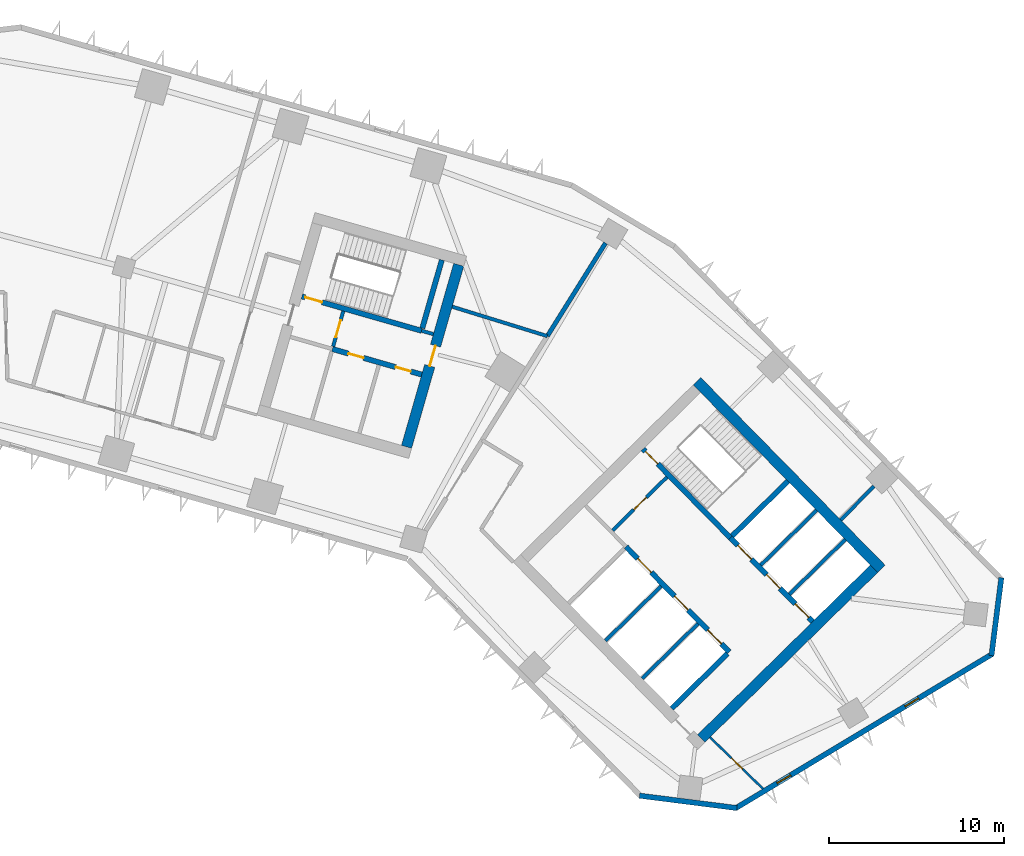
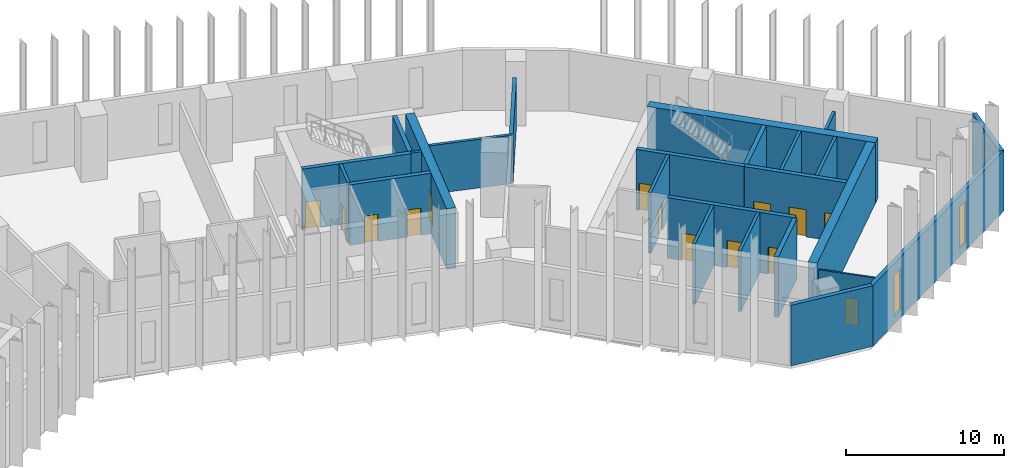
# One storey, part 6 of 11: 25 walls, 14 doors, 2 windows, 16 openings.
"""IFC4 building model written with IfcOpenShell, lengths in metres."""

import ifcopenshell
import ifcopenshell.guid

model = None  # the IFC model being written
_history = None  # IfcOwnerHistory: only IFC2X3 demands one
_inside = {}  # id of a spatial element -> (the spatial element, [elements in it])
_under = {}  # id of a project, library or spatial element -> (it, [spatial elements below it])
_declared = {}  # id of a project -> (the project, [libraries it declares])
_typed = {}  # id of a type object -> (the type object, [elements of that type])
_made_of = {}  # id of a material, layer set ... -> (it, [elements and type objects made of it])


def new_model(schema):
    """Start an empty IFC model of exactly this schema.

    Asked for "IFC4X3", IfcOpenShell would pick the latest addendum, in which some entities
    have other attributes; the version numbers below select the first issue.
    IFC2X3 requires an IfcOwnerHistory on every rooted entity: one is made here for all.
    """
    global model, _history
    if schema == "IFC4X3":
        model = ifcopenshell.file(schema_version=(4, 3, 0, 0))
    else:
        model = ifcopenshell.file(schema=schema)
    _inside.clear()
    _under.clear()
    _declared.clear()
    _typed.clear()
    _made_of.clear()
    _history = None
    if model.schema == "IFC2X3":
        org = make("IfcOrganization", Name="unknown")
        user = make(
            "IfcPersonAndOrganization",
            ThePerson=make("IfcPerson", FamilyName="unknown"),
            TheOrganization=org,
        )
        app = make(
            "IfcApplication",
            ApplicationDeveloper=org,
            Version="unknown",
            ApplicationFullName="unknown",
            ApplicationIdentifier="unknown",
        )
        _history = make(
            "IfcOwnerHistory",
            OwningUser=user,
            OwningApplication=app,
            ChangeAction="ADDED",
            CreationDate=0,
        )
    return model


def make(cls, **values):
    """One entity of the class cls with the attributes given. An attribute that is None is left unset."""
    return model.create_entity(
        cls, **{name: value for name, value in values.items() if value is not None}
    )


def rooted(cls, **values):
    """An entity with a GlobalId (a new one), such as an element, a storey or a relation."""
    return make(cls, GlobalId=ifcopenshell.guid.new(), OwnerHistory=_history, **values)


def si_unit(unit_type, name, prefix=None):
    """IfcSIUnit, for example si_unit("LENGTHUNIT", "METRE", prefix="MILLI")."""
    return make("IfcSIUnit", UnitType=unit_type, Prefix=prefix, Name=name)


def assignment(units):
    """IfcUnitAssignment: the units of a project."""
    return None if units is None else make("IfcUnitAssignment", Units=units)


def point(xyz):
    """IfcCartesianPoint."""
    return None if xyz is None else make("IfcCartesianPoint", Coordinates=xyz)


def direction(xyz):
    """IfcDirection."""
    return None if xyz is None else make("IfcDirection", DirectionRatios=xyz)


def frame(location, z_axis=None, x_axis=None):
    """IfcAxis2Placement3D, a coordinate frame: its origin and axes. An axis left out is left unset."""
    return make(
        "IfcAxis2Placement3D",
        Location=point(location),
        Axis=direction(z_axis),
        RefDirection=direction(x_axis),
    )


def frame_2d(location, x_axis=None):
    """IfcAxis2Placement2D, a coordinate frame in the plane: its origin and x axis."""
    return make(
        "IfcAxis2Placement2D", Location=point(location), RefDirection=direction(x_axis)
    )


def origin():
    """The frame at (0, 0, 0) with its axes left unset."""
    return frame((0.0, 0.0, 0.0))


def place(relative_to, where):
    """IfcLocalPlacement: puts the frame where relative to a parent placement (None: the world)."""
    return make(
        "IfcLocalPlacement", PlacementRelTo=relative_to, RelativePlacement=where
    )


def context(
    kind, dimensions, precision=None, world=None, true_north=None, identifier=None
):
    """IfcGeometricRepresentationContext, for example the 3D "Model" context."""
    return make(
        "IfcGeometricRepresentationContext",
        ContextIdentifier=identifier,
        ContextType=kind,
        CoordinateSpaceDimension=dimensions,
        Precision=precision,
        WorldCoordinateSystem=world,
        TrueNorth=true_north,
    )


def subcontext(parent, identifier, kind, view, scale=None):
    """IfcGeometricRepresentationSubContext, for example "Body" below "Model"."""
    return make(
        "IfcGeometricRepresentationSubContext",
        ContextIdentifier=identifier,
        ContextType=kind,
        ParentContext=parent,
        TargetScale=scale,
        TargetView=view,
    )


def project(units=None, contexts=None):
    """IfcProject with its units and contexts."""
    return rooted(
        "IfcProject",
        Name="project",
        RepresentationContexts=contexts,
        UnitsInContext=assignment(units),
    )


def spatial(cls, under=None, at=None, **own):
    """A site, building, storey or space (cls), placed at a placement, below another one or the project."""
    s = rooted(cls, ObjectPlacement=at, **own)
    if under is not None:
        _under.setdefault(under.id(), (under, []))[1].append(s)
    return s


def profile(cls, at=None, kind="AREA", **sizes):
    """A parametric profile (cls). Its sizes go by their IFC names, for example OverallWidth=200.0."""
    return make(cls, ProfileType=kind, Position=at, **sizes)


def rectangle(**sizes):
    """IfcRectangleProfileDef."""
    return profile("IfcRectangleProfileDef", **sizes)


def extrude(swept, where, along, depth):
    """IfcExtrudedAreaSolid: the profile swept, set in the frame where, extruded along a direction by depth."""
    return make(
        "IfcExtrudedAreaSolid",
        SweptArea=swept,
        Position=where,
        ExtrudedDirection=direction(along),
        Depth=depth,
    )


def shape(context_of_items, identifier, shape_type, items):
    """IfcShapeRepresentation: the items that make up one representation, for example the "Body"."""
    return make(
        "IfcShapeRepresentation",
        ContextOfItems=context_of_items,
        RepresentationIdentifier=identifier,
        RepresentationType=shape_type,
        Items=items,
    )


def material(Name=None, Category=None):
    """IfcMaterial."""
    return make("IfcMaterial", Name=Name, Category=Category)


def layer(
    of_material, thickness, ventilated=None, Name=None, Category=None, Priority=None
):
    """IfcMaterialLayer: one layer of a wall or slab, of a material (None: an air gap)."""
    return make(
        "IfcMaterialLayer",
        Material=of_material,
        LayerThickness=thickness,
        IsVentilated=ventilated,
        Name=Name,
        Category=Category,
        Priority=Priority,
    )


def layer_set(layers, Name=None):
    """IfcMaterialLayerSet."""
    return make("IfcMaterialLayerSet", MaterialLayers=layers, LayerSetName=Name)


def made_of(thing, what):
    """Note that an element or type object is made of a material, layer set ...; save() writes the relation."""
    if what is not None:
        _made_of.setdefault(what.id(), (what, []))[1].append(thing)
    return thing


def type_object(cls, material=None, **own):
    """A type object (cls), such as IfcWallType, which elements share."""
    return made_of(rooted(cls, **own), material)


def element(
    cls,
    number,
    at=None,
    inside=None,
    cuts=None,
    type_object=None,
    material=None,
    context=None,
    identifier="Body",
    shape_type=None,
    held_by="IfcProductDefinitionShape",
    body=None,
    shapes=None,
    **own,
):
    """One element of the class cls, such as IfcWall. Its Tag is "e" and its number.

    at: its placement. inside: the storey or other place that contains it. cuts: it is an
    opening in that element (IfcRelVoidsElement). A single representation is given by context,
    identifier, shape_type and body (its items); several are given by shapes. held_by: the class
    of the entity that holds the representations. save() writes the other relations.
    """
    e = rooted(cls, Tag="e%d" % number, ObjectPlacement=at, **own)
    if body is not None:
        shapes = [shape(context, identifier, shape_type, body)]
    if shapes is not None:
        e.Representation = make(held_by, Representations=shapes)
    if inside is not None:
        _inside.setdefault(inside.id(), (inside, []))[1].append(e)
    if cuts is not None:
        rooted(
            "IfcRelVoidsElement", RelatingBuildingElement=cuts, RelatedOpeningElement=e
        )
    if type_object is not None:
        _typed.setdefault(type_object.id(), (type_object, []))[1].append(e)
    return made_of(e, material)


def fill(opening, filler):
    """IfcRelFillsElement: the door or window that sits in an opening."""
    return rooted(
        "IfcRelFillsElement",
        RelatingOpeningElement=opening,
        RelatedBuildingElement=filler,
    )


def aggregate(whole, parts):
    """IfcRelAggregates: a whole, such as a stair, and the parts it consists of."""
    return rooted("IfcRelAggregates", RelatingObject=whole, RelatedObjects=parts)


def save(model, path):
    """Write the relations noted so far, then the file.

    IfcRelAggregates (storeys below a building ...), IfcRelContainedInSpatialStructure (elements
    in a storey), IfcRelDefinesByType, IfcRelAssociatesMaterial and IfcRelDeclares: one each for
    every whole, place, type object, material and project.
    """
    for whole, parts in _under.values():
        aggregate(whole, parts)
    for where, things in _inside.values():
        rooted(
            "IfcRelContainedInSpatialStructure",
            RelatedElements=things,
            RelatingStructure=where,
        )
    for kind, things in _typed.values():
        rooted("IfcRelDefinesByType", RelatedObjects=things, RelatingType=kind)
    for what, things in _made_of.values():
        rooted("IfcRelAssociatesMaterial", RelatedObjects=things, RelatingMaterial=what)
    for by, libraries in _declared.values():
        rooted("IfcRelDeclares", RelatingContext=by, RelatedDefinitions=libraries)
    model.write(path)


model = new_model("IFC4")

# Units and contexts
model_context = context("Model", 3, precision=1e-05, world=origin(), true_north=direction((0.0, 1.0)))
body_context = subcontext(model_context, "Body", "Model", "MODEL_VIEW")
ifc_project = project(units=[si_unit("LENGTHUNIT", "METRE"), si_unit("AREAUNIT", "SQUARE_METRE"), si_unit("VOLUMEUNIT", "CUBIC_METRE"), si_unit("PLANEANGLEUNIT", "RADIAN"), si_unit("MASSUNIT", "GRAM", prefix="KILO")], contexts=[model_context])

# Site, building, storey
site_placement = place(None, origin())
site = spatial("IfcSite", under=ifc_project, at=site_placement, CompositionType="ELEMENT")
building_placement = place(site_placement, origin())
building = spatial("IfcBuilding", under=site, at=building_placement, Name="Binnacle Exchange Tower", CompositionType="ELEMENT")
storey_placement = place(building_placement, frame((0.0, 0.0, 36.5)))
storey = spatial("IfcBuildingStorey", under=building, at=storey_placement, Name="L07", CompositionType="ELEMENT", Elevation=36.5)

# Wall, openings, doors
ifc_material_1 = material(Name="Concrete C70/85", Category="concrete")
ifc_layer_1 = layer(ifc_material_1, 0.300048828125)
ifc_layer_set_1 = layer_set([ifc_layer_1], Name="Core wall - front 300")
wall_type_1 = type_object("IfcWallType", Name="Core wall - front 300", PredefinedType="SOLIDWALL", material=ifc_layer_set_1)
wall_1_placement = place(storey_placement, frame((37.8740234375, 41.41552734375, 0.0), z_axis=(0.0, 0.0, 1.0), x_axis=(0.700918271237, -0.71324159795, 0.0)))
wall_1 = element("IfcWall", 1, at=wall_1_placement, inside=storey, type_object=wall_type_1, Name="Core wall CRWB3", PredefinedType="SOLIDWALL", context=body_context, shape_type="SweptSolid", body=[
    extrude(rectangle(XDim=8.39990234375, YDim=0.300048828125, at=frame_2d((4.199951171875, 0.0))), origin(), (0.0, 0.0, 1.0), 4.679931640625),
])
opening_1_placement = place(wall_1_placement, frame((0.949951171875, 0.0, 0.0)))
opening_1 = element("IfcOpeningElement", 2, at=opening_1_placement, cuts=wall_1, Name="Opening LD15", PredefinedType="OPENING", context=body_context, shape_type="SweptSolid", body=[
    extrude(rectangle(XDim=1.10009765625, YDim=2.10009765625, at=frame_2d((0.550048828125, 1.050048828125))), frame((0.0, 0.159912109375, 0.0), z_axis=(0.0, -1.0, 0.0), x_axis=(1.0, 0.0, 0.0)), (0.0, 0.0, 1.0), 0.320068359375),
])
opening_2_placement = place(wall_1_placement, frame((3.949951171875, 0.0, 0.0)))
opening_2 = element("IfcOpeningElement", 3, at=opening_2_placement, cuts=wall_1, Name="Opening LD16", PredefinedType="OPENING", context=body_context, shape_type="SweptSolid", body=[
    extrude(rectangle(XDim=1.10009765625, YDim=2.10009765625, at=frame_2d((0.550048828125, 1.050048828125))), frame((0.0, 0.159912109375, 0.0), z_axis=(0.0, -1.0, 0.0), x_axis=(1.0, 0.0, 0.0)), (0.0, 0.0, 1.0), 0.320068359375),
])
opening_3_placement = place(wall_1_placement, frame((6.64990234375, 0.0, 0.0)))
opening_3 = element("IfcOpeningElement", 4, at=opening_3_placement, cuts=wall_1, Name="Opening LD4", PredefinedType="OPENING", context=body_context, shape_type="SweptSolid", body=[
    extrude(rectangle(XDim=1.10009765625, YDim=2.10009765625, at=frame_2d((0.550048828125, 1.050048828125))), frame((0.0, 0.159912109375, 0.0), z_axis=(0.0, -1.0, 0.0), x_axis=(1.0, 0.0, 0.0)), (0.0, 0.0, 1.0), 0.320068359375),
])
ifc_material_2 = material(Name="Steel door leaf", Category="steel")
door_type_1 = type_object("IfcDoorType", Name="Fire door - lift landing 1100", OperationType="NOTDEFINED", PredefinedType="DOOR", material=ifc_material_2)
door_1_placement = place(opening_1_placement, origin())
door_1 = element("IfcDoor", 5, at=door_1_placement, inside=storey, type_object=door_type_1, Name="Landing door LD15 L07", OperationType="DOUBLE_DOOR_SLIDING", OverallHeight=2.10009765625, OverallWidth=1.10009765625, PredefinedType="DOOR", context=body_context, shape_type="SweptSolid", body=[
    extrude(rectangle(XDim=1.10009765625, YDim=2.10009765625, at=frame_2d((0.550048828125, 1.050048828125))), frame((0.0, 0.02490234375, 0.0), z_axis=(0.0, -1.0, 0.0), x_axis=(1.0, 0.0, 0.0)), (0.0, 0.0, 1.0), 0.050048828125),
])
fill(opening_1, door_1)
door_2_placement = place(opening_2_placement, origin())
door_2 = element("IfcDoor", 6, at=door_2_placement, inside=storey, type_object=door_type_1, Name="Landing door LD16 L07", OperationType="DOUBLE_DOOR_SLIDING", OverallHeight=2.10009765625, OverallWidth=1.10009765625, PredefinedType="DOOR", context=body_context, shape_type="SweptSolid", body=[
    extrude(rectangle(XDim=1.10009765625, YDim=2.10009765625, at=frame_2d((0.550048828125, 1.050048828125))), frame((0.0, 0.02490234375, 0.0), z_axis=(0.0, -1.0, 0.0), x_axis=(1.0, 0.0, 0.0)), (0.0, 0.0, 1.0), 0.050048828125),
])
fill(opening_2, door_2)
door_3_placement = place(opening_3_placement, origin())
door_3 = element("IfcDoor", 7, at=door_3_placement, inside=storey, type_object=door_type_1, Name="Landing door LD4 L07", OperationType="DOUBLE_DOOR_SLIDING", OverallHeight=2.10009765625, OverallWidth=1.10009765625, PredefinedType="DOOR", context=body_context, shape_type="SweptSolid", body=[
    extrude(rectangle(XDim=1.10009765625, YDim=2.10009765625, at=frame_2d((0.550048828125, 1.050048828125))), frame((0.0, 0.02490234375, 0.0), z_axis=(0.0, -1.0, 0.0), x_axis=(1.0, 0.0, 0.0)), (0.0, 0.0, 1.0), 0.050048828125),
])
fill(opening_3, door_3)

wall_2_placement = place(storey_placement, frame((43.818603515625, 41.92919921875, 0.0), z_axis=(0.0, 0.0, 1.0), x_axis=(0.700921619155, -0.713238307862, 0.0)))
wall_2 = element("IfcWall", 8, at=wall_2_placement, inside=storey, type_object=wall_type_1, Name="Core wall CRWB5", PredefinedType="SOLIDWALL", context=body_context, shape_type="SweptSolid", body=[
    extrude(rectangle(XDim=6.69970703125, YDim=0.300048828125, at=frame_2d((3.349853515625, 0.0))), origin(), (0.0, 0.0, 1.0), 4.679931640625),
])
opening_4_placement = place(wall_2_placement, frame((0.614990234375, 0.0, 0.0)))
opening_4 = element("IfcOpeningElement", 9, at=opening_4_placement, cuts=wall_2, Name="Opening LD1", PredefinedType="OPENING", context=body_context, shape_type="SweptSolid", body=[
    extrude(rectangle(XDim=1.10009765625, YDim=2.10009765625, at=frame_2d((0.550048828125, 1.050048828125))), frame((0.0, 0.159912109375, 0.0), z_axis=(0.0, -1.0, 0.0), x_axis=(1.0, 0.0, 0.0)), (0.0, 0.0, 1.0), 0.320068359375),
])
opening_5_placement = place(wall_2_placement, frame((2.945068359375, 0.0, 0.0)))
opening_5 = element("IfcOpeningElement", 10, at=opening_5_placement, cuts=wall_2, Name="Opening LD2", PredefinedType="OPENING", context=body_context, shape_type="SweptSolid", body=[
    extrude(rectangle(XDim=1.10009765625, YDim=2.10009765625, at=frame_2d((0.550048828125, 1.050048828125))), frame((0.0, 0.159912109375, 0.0), z_axis=(0.0, -1.0, 0.0), x_axis=(1.0, 0.0, 0.0)), (0.0, 0.0, 1.0), 0.320068359375),
])
opening_6_placement = place(wall_2_placement, frame((5.280029296875, 0.0, 0.0)))
opening_6 = element("IfcOpeningElement", 11, at=opening_6_placement, cuts=wall_2, Name="Opening LD3", PredefinedType="OPENING", context=body_context, shape_type="SweptSolid", body=[
    extrude(rectangle(XDim=1.10009765625, YDim=2.10009765625, at=frame_2d((0.550048828125, 1.050048828125))), frame((0.0, 0.159912109375, 0.0), z_axis=(0.0, -1.0, 0.0), x_axis=(1.0, 0.0, 0.0)), (0.0, 0.0, 1.0), 0.320068359375),
])
door_4_placement = place(opening_4_placement, origin())
door_4 = element("IfcDoor", 12, at=door_4_placement, inside=storey, type_object=door_type_1, Name="Landing door LD1 L07", OperationType="DOUBLE_DOOR_SLIDING", OverallHeight=2.10009765625, OverallWidth=1.10009765625, PredefinedType="DOOR", context=body_context, shape_type="SweptSolid", body=[
    extrude(rectangle(XDim=1.10009765625, YDim=2.10009765625, at=frame_2d((0.550048828125, 1.050048828125))), frame((0.0, 0.02490234375, 0.0), z_axis=(0.0, -1.0, 0.0), x_axis=(1.0, 0.0, 0.0)), (0.0, 0.0, 1.0), 0.050048828125),
])
fill(opening_4, door_4)
door_5_placement = place(opening_5_placement, origin())
door_5 = element("IfcDoor", 13, at=door_5_placement, inside=storey, type_object=door_type_1, Name="Landing door LD2 L07", OperationType="DOUBLE_DOOR_SLIDING", OverallHeight=2.10009765625, OverallWidth=1.10009765625, PredefinedType="DOOR", context=body_context, shape_type="SweptSolid", body=[
    extrude(rectangle(XDim=1.10009765625, YDim=2.10009765625, at=frame_2d((0.550048828125, 1.050048828125))), frame((0.0, 0.02490234375, 0.0), z_axis=(0.0, -1.0, 0.0), x_axis=(1.0, 0.0, 0.0)), (0.0, 0.0, 1.0), 0.050048828125),
])
fill(opening_5, door_5)
door_6_placement = place(opening_6_placement, origin())
door_6 = element("IfcDoor", 14, at=door_6_placement, inside=storey, type_object=door_type_1, Name="Landing door LD3 L07", OperationType="DOUBLE_DOOR_SLIDING", OverallHeight=2.10009765625, OverallWidth=1.10009765625, PredefinedType="DOOR", context=body_context, shape_type="SweptSolid", body=[
    extrude(rectangle(XDim=1.10009765625, YDim=2.10009765625, at=frame_2d((0.550048828125, 1.050048828125))), frame((0.0, 0.02490234375, 0.0), z_axis=(0.0, -1.0, 0.0), x_axis=(1.0, 0.0, 0.0)), (0.0, 0.0, 1.0), 0.050048828125),
])
fill(opening_6, door_6)

# Wall
wall_3_placement = place(storey_placement, frame((40.480712890625, 32.199951171875, 0.0), z_axis=(0.0, 0.0, 1.0), x_axis=(0.713251741427, 0.700907949271, 0.0)))
element("IfcWall", 15, at=wall_3_placement, inside=storey, type_object=wall_type_1, Name="Core wall CRWB14", PredefinedType="SOLIDWALL", context=body_context, shape_type="SweptSolid", body=[
    extrude(rectangle(XDim=4.4501953125, YDim=0.300048828125, at=frame_2d((2.22509765625, 0.0))), origin(), (0.0, 0.0, 1.0), 4.679931640625),
])

# Wall, openings, doors
wall_4_placement = place(storey_placement, frame((21.130859375, 52.6923828125, 0.0), z_axis=(0.0, 0.0, 1.0), x_axis=(0.961271492568, -0.275603188616, 0.0)))
wall_4 = element("IfcWall", 16, at=wall_4_placement, inside=storey, type_object=wall_type_1, Name="Core wall CRWD3", PredefinedType="SOLIDWALL", context=body_context, shape_type="SweptSolid", body=[
    extrude(rectangle(XDim=5.300048828125, YDim=0.300048828125, at=frame_2d((2.64990234375, 0.0))), origin(), (0.0, 0.0, 1.0), 4.679931640625),
])
opening_7_placement = place(wall_4_placement, frame((0.949951171875, 0.0, 0.0)))
opening_7 = element("IfcOpeningElement", 17, at=opening_7_placement, cuts=wall_4, Name="Opening DD10", PredefinedType="OPENING", context=body_context, shape_type="SweptSolid", body=[
    extrude(rectangle(XDim=0.89990234375, YDim=2.10009765625, at=frame_2d((0.449951171875, 1.050048828125))), frame((0.0, 0.159912109375, 0.0), z_axis=(0.0, -1.0, 0.0), x_axis=(1.0, 0.0, 0.0)), (0.0, 0.0, 1.0), 0.320068359375),
])
opening_8_placement = place(wall_4_placement, frame((3.75, 0.0, 0.0)))
opening_8 = element("IfcOpeningElement", 18, at=opening_8_placement, cuts=wall_4, Name="Opening DD11", PredefinedType="OPENING", context=body_context, shape_type="SweptSolid", body=[
    extrude(rectangle(XDim=0.89990234375, YDim=2.10009765625, at=frame_2d((0.449951171875, 1.050048828125))), frame((0.0, 0.159912109375, 0.0), z_axis=(0.0, -1.0, 0.0), x_axis=(1.0, 0.0, 0.0)), (0.0, 0.0, 1.0), 0.320068359375),
])
door_type_2 = type_object("IfcDoorType", Name="Fire door 900", OperationType="NOTDEFINED", PredefinedType="DOOR", material=ifc_material_2)
door_7_placement = place(opening_7_placement, frame((0.89990234375, 0.0, 0.0), z_axis=(0.0, 0.0, 1.0), x_axis=(-1.0, 0.0, 0.0)))
door_7 = element("IfcDoor", 19, at=door_7_placement, inside=storey, type_object=door_type_2, Name="Core room door FIBRE ENTRY ROOM", OperationType="SINGLE_SWING_RIGHT", OverallHeight=2.10009765625, OverallWidth=0.89990234375, PredefinedType="DOOR", context=body_context, shape_type="SweptSolid", body=[
    extrude(rectangle(XDim=0.89990234375, YDim=2.10009765625, at=frame_2d((0.449951171875, 1.050048828125))), frame((0.0, 0.02490234375, 0.0), z_axis=(0.0, -1.0, 0.0), x_axis=(1.0, 0.0, 0.0)), (0.0, 0.0, 1.0), 0.050048828125),
])
fill(opening_7, door_7)
door_8_placement = place(opening_8_placement, frame((0.89990234375, 0.0, 0.0), z_axis=(0.0, 0.0, 1.0), x_axis=(-1.0, 0.0, 0.0)))
door_8 = element("IfcDoor", 20, at=door_8_placement, inside=storey, type_object=door_type_2, Name="Core room door ELECTRICAL ROOM", OperationType="SINGLE_SWING_LEFT", OverallHeight=2.10009765625, OverallWidth=0.89990234375, PredefinedType="DOOR", context=body_context, shape_type="SweptSolid", body=[
    extrude(rectangle(XDim=0.89990234375, YDim=2.10009765625, at=frame_2d((0.449951171875, 1.050048828125))), frame((0.0, 0.02490234375, 0.0), z_axis=(0.0, -1.0, 0.0), x_axis=(1.0, 0.0, 0.0)), (0.0, 0.0, 1.0), 0.050048828125),
])
fill(opening_8, door_8)

# Walls
ifc_layer_2 = layer(ifc_material_1, 0.60009765625)
ifc_layer_set_2 = layer_set([ifc_layer_2], Name="Core wall - outer 600")
wall_type_2 = type_object("IfcWallType", Name="Core wall - outer 600", PredefinedType="SOLIDWALL", material=ifc_layer_set_2)
wall_5_placement = place(storey_placement, frame((41.91650390625, 50.855712890625, 0.0), z_axis=(0.0, 0.0, 1.0), x_axis=(0.700911255944, -0.713248491965, 0.0)))
element("IfcWall", 21, at=wall_5_placement, inside=storey, type_object=wall_type_2, Name="Core wall CRWB6", PredefinedType="SOLIDWALL", context=body_context, shape_type="SweptSolid", body=[
    extrude(rectangle(XDim=15.0, YDim=0.60009765625, at=frame_2d((7.5, 0.0))), origin(), (0.0, 0.0, 1.0), 4.679931640625),
])
wall_6_placement = place(storey_placement, frame((42.1630859375, 30.48828125, 0.0), z_axis=(0.0, 0.0, 1.0), x_axis=(0.713245344712, 0.70091445858, 0.0)))
element("IfcWall", 22, at=wall_6_placement, inside=storey, type_object=wall_type_2, Name="Core wall CRWB16", PredefinedType="SOLIDWALL", context=body_context, shape_type="SweptSolid", body=[
    extrude(rectangle(XDim=13.800048828125, YDim=0.60009765625, at=frame_2d((6.89990234375, 0.0))), origin(), (0.0, 0.0, 1.0), 4.679931640625),
])

# Wall, opening, door
wall_7_placement = place(storey_placement, frame((25.356201171875, 47.111572265625, 0.0), z_axis=(0.0, 0.0, 1.0), x_axis=(0.275631631629, 0.961263337304, 0.0)))
wall_7 = element("IfcWall", 23, at=wall_7_placement, inside=storey, type_object=wall_type_2, Name="Core wall CRWD12", PredefinedType="SOLIDWALL", context=body_context, shape_type="SweptSolid", body=[
    extrude(rectangle(XDim=10.800048828125, YDim=0.60009765625, at=frame_2d((5.39990234375, 0.0))), origin(), (0.0, 0.0, 1.0), 4.679931640625),
])
opening_9_placement = place(wall_7_placement, frame((4.800048828125, 0.0, 0.0)))
opening_9 = element("IfcOpeningElement", 24, at=opening_9_placement, cuts=wall_7, Name="Opening DD6", PredefinedType="OPENING", context=body_context, shape_type="SweptSolid", body=[
    extrude(rectangle(XDim=1.199951171875, YDim=2.10009765625, at=frame_2d((0.60009765625, 1.050048828125))), frame((0.0, 0.31005859375, 0.0), z_axis=(0.0, -1.0, 0.0), x_axis=(1.0, 0.0, 0.0)), (0.0, 0.0, 1.0), 0.6201171875),
])
door_type_3 = type_object("IfcDoorType", Name="Fire door 1200", OperationType="NOTDEFINED", PredefinedType="DOOR", material=ifc_material_2)
door_9_placement = place(opening_9_placement, frame((1.199951171875, 0.0, 0.0), z_axis=(0.0, 0.0, 1.0), x_axis=(-1.0, 0.0, 0.0)))
door_9 = element("IfcDoor", 25, at=door_9_placement, inside=storey, type_object=door_type_3, Name="Core passage exit door", OperationType="SINGLE_SWING_LEFT", OverallHeight=2.10009765625, OverallWidth=1.199951171875, PredefinedType="DOOR", context=body_context, shape_type="SweptSolid", body=[
    extrude(rectangle(XDim=1.199951171875, YDim=2.10009765625, at=frame_2d((0.60009765625, 1.050048828125))), frame((0.0, 0.02490234375, 0.0), z_axis=(0.0, -1.0, 0.0), x_axis=(1.0, 0.0, 0.0)), (0.0, 0.0, 1.0), 0.050048828125),
])
fill(opening_9, door_9)

ifc_layer_3 = layer(ifc_material_1, 0.300048828125)
ifc_layer_set_3 = layer_set([ifc_layer_3], Name="Core wall - stair 300")
wall_type_3 = type_object("IfcWallType", Name="Core wall - stair 300", PredefinedType="SOLIDWALL", material=ifc_layer_set_3)
wall_8_placement = place(storey_placement, frame((38.842041015625, 46.993408203125, 0.0), z_axis=(0.0, 0.0, 1.0), x_axis=(0.700907701701, -0.713251984713, 0.0)))
wall_8 = element("IfcWall", 26, at=wall_8_placement, inside=storey, type_object=wall_type_3, Name="Core wall CRWB4", PredefinedType="SOLIDWALL", context=body_context, shape_type="SweptSolid", body=[
    extrude(rectangle(XDim=7.10009765625, YDim=0.300048828125, at=frame_2d((3.550048828125, 0.0))), origin(), (0.0, 0.0, 1.0), 4.679931640625),
])
opening_10_placement = place(wall_8_placement, frame((0.199951171875, 0.0, 0.0)))
opening_10 = element("IfcOpeningElement", 27, at=opening_10_placement, cuts=wall_8, Name="Opening DB1", PredefinedType="OPENING", context=body_context, shape_type="SweptSolid", body=[
    extrude(rectangle(XDim=1.0, YDim=2.10009765625, at=frame_2d((0.5, 1.050048828125))), frame((0.0, 0.159912109375, 0.0), z_axis=(0.0, -1.0, 0.0), x_axis=(1.0, 0.0, 0.0)), (0.0, 0.0, 1.0), 0.320068359375),
])
door_type_4 = type_object("IfcDoorType", Name="Fire door 1000", OperationType="NOTDEFINED", PredefinedType="DOOR", material=ifc_material_2)
door_10_placement = place(opening_10_placement, origin())
door_10 = element("IfcDoor", 28, at=door_10_placement, inside=storey, type_object=door_type_4, Name="Stair door ST-B1", OperationType="SINGLE_SWING_LEFT", OverallHeight=2.10009765625, OverallWidth=1.0, PredefinedType="DOOR", context=body_context, shape_type="SweptSolid", body=[
    extrude(rectangle(XDim=1.0, YDim=2.10009765625, at=frame_2d((0.5, 1.050048828125))), frame((0.0, 0.02490234375, 0.0), z_axis=(0.0, -1.0, 0.0), x_axis=(1.0, 0.0, 0.0)), (0.0, 0.0, 1.0), 0.050048828125),
])
fill(opening_10, door_10)

# Wall
wall_9_placement = place(storey_placement, frame((43.925537109375, 42.034423828125, 0.0), z_axis=(0.0, 0.0, 1.0), x_axis=(0.713251741427, 0.700907949271, 0.0)))
element("IfcWall", 29, at=wall_9_placement, inside=storey, type_object=wall_type_3, Name="Core wall CRWB11", PredefinedType="SOLIDWALL", context=body_context, shape_type="SweptSolid", body=[
    extrude(rectangle(XDim=4.4501953125, YDim=0.300048828125, at=frame_2d((2.22509765625, 0.0))), origin(), (0.0, 0.0, 1.0), 4.679931640625),
])

# Wall, opening, door
wall_10_placement = place(storey_placement, frame((19.38916015625, 55.688720703125, 0.0), z_axis=(0.0, 0.0, 1.0), x_axis=(0.961261397636, -0.275638396117, 0.0)))
wall_10 = element("IfcWall", 30, at=wall_10_placement, inside=storey, type_object=wall_type_3, Name="Core wall CRWD4", PredefinedType="SOLIDWALL", context=body_context, shape_type="SweptSolid", body=[
    extrude(rectangle(XDim=7.10009765625, YDim=0.300048828125, at=frame_2d((3.550048828125, 0.0))), origin(), (0.0, 0.0, 1.0), 4.679931640625),
])
opening_11_placement = place(wall_10_placement, frame((0.199951171875, 0.0, 0.0)))
opening_11 = element("IfcOpeningElement", 31, at=opening_11_placement, cuts=wall_10, Name="Opening DD1", PredefinedType="OPENING", context=body_context, shape_type="SweptSolid", body=[
    extrude(rectangle(XDim=1.0, YDim=2.10009765625, at=frame_2d((0.5, 1.050048828125))), frame((0.0, 0.159912109375, 0.0), z_axis=(0.0, -1.0, 0.0), x_axis=(1.0, 0.0, 0.0)), (0.0, 0.0, 1.0), 0.320068359375),
])
door_11_placement = place(opening_11_placement, origin())
door_11 = element("IfcDoor", 32, at=door_11_placement, inside=storey, type_object=door_type_4, Name="Stair door ST-D1", OperationType="SINGLE_SWING_LEFT", OverallHeight=2.10009765625, OverallWidth=1.0, PredefinedType="DOOR", context=body_context, shape_type="SweptSolid", body=[
    extrude(rectangle(XDim=1.0, YDim=2.10009765625, at=frame_2d((0.5, 1.050048828125))), frame((0.0, 0.02490234375, 0.0), z_axis=(0.0, -1.0, 0.0), x_axis=(1.0, 0.0, 0.0)), (0.0, 0.0, 1.0), 0.050048828125),
])
fill(opening_11, door_11)

# Walls
wall_11_placement = place(storey_placement, frame((26.255615234375, 53.875732421875, 0.0), z_axis=(0.0, 0.0, 1.0), x_axis=(0.275612739511, 0.961268754209, 0.0)))
element("IfcWall", 33, at=wall_11_placement, inside=storey, type_object=wall_type_3, Name="Core wall CRWD11", PredefinedType="SOLIDWALL", context=body_context, shape_type="SweptSolid", body=[
    extrude(rectangle(XDim=4.0498046875, YDim=0.300048828125, at=frame_2d((2.02490234375, 0.0))), origin(), (0.0, 0.0, 1.0), 4.679931640625),
])
ifc_material_3 = material(Name="Bronze aluminium cladding", Category="aluminium")
ifc_layer_4 = layer(ifc_material_3, 0.300048828125)
ifc_layer_set_4 = layer_set([ifc_layer_4], Name="External wall - spandrel 300")
wall_type_4 = type_object("IfcWallType", Name="External wall - spandrel 300", PredefinedType="STANDARD", material=ifc_layer_set_4)
wall_12_placement = place(storey_placement, frame((44.19580078125, 26.517822265625, 0.0), z_axis=(0.0, 0.0, 1.0), x_axis=(-0.992001881269, 0.126223086474, 0.0)))
element("IfcWall", 34, at=wall_12_placement, inside=storey, type_object=wall_type_4, Name="External wall EW-F10 L07", PredefinedType="STANDARD", context=body_context, shape_type="SweptSolid", body=[
    extrude(rectangle(XDim=5.6015625, YDim=0.300048828125, at=frame_2d((2.80078125, 0.0))), origin(), (0.0, 0.0, 1.0), 4.679931640625),
])

# Wall, openings, windows
wall_13_placement = place(storey_placement, frame((58.7783203125, 35.317626953125, 0.0), z_axis=(0.0, 0.0, 1.0), x_axis=(-0.857168206138, -0.515036568009, 0.0)))
wall_13 = element("IfcWall", 35, at=wall_13_placement, inside=storey, type_object=wall_type_4, Name="External wall EW-F11 L07", PredefinedType="STANDARD", context=body_context, shape_type="SweptSolid", body=[
    extrude(rectangle(XDim=17.124755859375, YDim=0.300048828125, at=frame_2d((8.5625, 0.0))), origin(), (0.0, 0.0, 1.0), 4.679931640625),
])
opening_12_placement = place(wall_13_placement, frame((13.435302734375, 0.0, 0.60009765625)))
opening_12 = element("IfcOpeningElement", 36, at=opening_12_placement, cuts=wall_13, Name="Opening WS1", PredefinedType="OPENING", context=body_context, shape_type="SweptSolid", body=[
    extrude(rectangle(XDim=0.89990234375, YDim=3.199951171875, at=frame_2d((0.449951171875, 1.60009765625))), frame((0.0, 0.159912109375, 0.0), z_axis=(0.0, -1.0, 0.0), x_axis=(1.0, 0.0, 0.0)), (0.0, 0.0, 1.0), 0.320068359375),
])
opening_13_placement = place(wall_13_placement, frame((4.935302734375, 0.0, 0.60009765625)))
opening_13 = element("IfcOpeningElement", 37, at=opening_13_placement, cuts=wall_13, Name="Opening WS1", PredefinedType="OPENING", context=body_context, shape_type="SweptSolid", body=[
    extrude(rectangle(XDim=0.89990234375, YDim=3.199951171875, at=frame_2d((0.449951171875, 1.60009765625))), frame((0.0, 0.159912109375, 0.0), z_axis=(0.0, -1.0, 0.0), x_axis=(1.0, 0.0, 0.0)), (0.0, 0.0, 1.0), 0.320068359375),
])
ifc_material_4 = material(Name="Bronze anodised aluminium frame", Category="aluminium")
window_type = type_object("IfcWindowType", Name="WS1 WINDOW 900x3200", PartitioningType="SINGLE_PANEL", PredefinedType="WINDOW", material=ifc_material_4)
window_1_placement = place(opening_12_placement, origin())
window_1 = element("IfcWindow", 38, at=window_1_placement, inside=storey, type_object=window_type, Name="Window WS1 L07", OverallHeight=3.199951171875, OverallWidth=0.89990234375, PartitioningType="SINGLE_PANEL", PredefinedType="WINDOW", context=body_context, shape_type="SweptSolid", body=[
    extrude(rectangle(XDim=0.89990234375, YDim=3.199951171875, at=frame_2d((0.449951171875, 1.60009765625))), frame((0.0, 0.030029296875, 0.0), z_axis=(0.0, -1.0, 0.0), x_axis=(1.0, 0.0, 0.0)), (0.0, 0.0, 1.0), 0.06005859375),
])
fill(opening_12, window_1)
window_2_placement = place(opening_13_placement, origin())
window_2 = element("IfcWindow", 39, at=window_2_placement, inside=storey, type_object=window_type, Name="Window WS1 L07", OverallHeight=3.199951171875, OverallWidth=0.89990234375, PartitioningType="SINGLE_PANEL", PredefinedType="WINDOW", context=body_context, shape_type="SweptSolid", body=[
    extrude(rectangle(XDim=0.89990234375, YDim=3.199951171875, at=frame_2d((0.449951171875, 1.60009765625))), frame((0.0, 0.030029296875, 0.0), z_axis=(0.0, -1.0, 0.0), x_axis=(1.0, 0.0, 0.0)), (0.0, 0.0, 1.0), 0.06005859375),
])
fill(opening_13, window_2)

# Walls
wall_14_placement = place(storey_placement, frame((59.27197265625, 39.6513671875, 0.0), z_axis=(0.0, 0.0, 1.0), x_axis=(-0.126181137886, -0.992007217938, 0.0)))
element("IfcWall", 40, at=wall_14_placement, inside=storey, type_object=wall_type_4, Name="External wall EW-F12 L07", PredefinedType="STANDARD", context=body_context, shape_type="SweptSolid", body=[
    extrude(rectangle(XDim=4.479248046875, YDim=0.300048828125, at=frame_2d((2.23974609375, 0.0))), origin(), (0.0, 0.0, 1.0), 4.679931640625),
])
ifc_material_5 = material(Name="Masonry block wall", Category="masonry")
ifc_layer_5 = layer(ifc_material_5, 0.199951171875)
ifc_layer_set_5 = layer_set([ifc_layer_5], Name="Fire wall - block 200")
wall_type_5 = type_object("IfcWallType", Name="Fire wall - block 200", PredefinedType="PARTITIONING", material=ifc_layer_set_5)
wall_15_placement = place(storey_placement, frame((27.9599609375, 55.10302734375, 0.0), z_axis=(0.0, 0.0, 1.0), x_axis=(0.955442775069, -0.29517639399, 0.0)))
element("IfcWall", 41, at=wall_15_placement, inside=storey, type_object=wall_type_5, Name="Partition W35", PredefinedType="PARTITIONING", context=body_context, shape_type="SweptSolid", body=[
    extrude(rectangle(XDim=5.677978515625, YDim=0.199951171875, at=frame_2d((2.8388671875, 0.0))), origin(), (0.0, 0.0, 1.0), 3.748046875),
])
wall_16_placement = place(storey_placement, frame((50.111083984375, 42.945068359375, 0.0), z_axis=(0.0, 0.0, 1.0), x_axis=(0.703583283707, 0.710612807996, 0.0)))
element("IfcWall", 42, at=wall_16_placement, inside=storey, type_object=wall_type_5, Name="Partition W42", PredefinedType="PARTITIONING", context=body_context, shape_type="SweptSolid", body=[
    extrude(rectangle(XDim=2.708984375, YDim=0.199951171875, at=frame_2d((1.3544921875, 0.0))), origin(), (0.0, 0.0, 1.0), 4.2099609375),
])
ifc_material_6 = material(Name="Concrete fire wall C30/37", Category="concrete")
ifc_layer_6 = layer(ifc_material_6, 0.25)
ifc_layer_set_6 = layer_set([ifc_layer_6], Name="Fire wall - compartment 250")
wall_type_6 = type_object("IfcWallType", Name="Fire wall - compartment 250", PredefinedType="PARTITIONING", material=ifc_layer_set_6)
wall_17_placement = place(storey_placement, frame((33.385009765625, 53.427001953125, 0.0), z_axis=(0.0, 0.0, 1.0), x_axis=(0.529897235032, 0.848061861131, 0.0)))
element("IfcWall", 43, at=wall_17_placement, inside=storey, type_object=wall_type_6, Name="Fire Wall W40", PredefinedType="PARTITIONING", context=body_context, shape_type="SweptSolid", body=[
    extrude(rectangle(XDim=6.257568359375, YDim=0.25, at=frame_2d((3.12890625, 0.0))), origin(), (0.0, 0.0, 1.0), 3.741943359375),
])

# Wall, opening, door
ifc_layer_7 = layer(ifc_material_5, 0.199951171875)
ifc_layer_set_7 = layer_set([ifc_layer_7], Name="Fire wall - vestibule 200")
wall_type_7 = type_object("IfcWallType", Name="Fire wall - vestibule 200", PredefinedType="PARTITIONING", material=ifc_layer_set_7)
wall_18_placement = place(storey_placement, frame((37.104248046875, 42.341552734375, 0.0), z_axis=(0.0, 0.0, 1.0), x_axis=(0.713281298468, 0.700877870428, 0.0)))
wall_18 = element("IfcWall", 44, at=wall_18_placement, inside=storey, type_object=wall_type_7, Name="Core wall CRWB8", PredefinedType="PARTITIONING", context=body_context, shape_type="SweptSolid", body=[
    extrude(rectangle(XDim=4.35009765625, YDim=0.199951171875, at=frame_2d((2.175048828125, 0.0))), origin(), (0.0, 0.0, 1.0), 4.679931640625),
])
opening_14_placement = place(wall_18_placement, frame((1.699951171875, 0.0, 0.0)))
opening_14 = element("IfcOpeningElement", 45, at=opening_14_placement, cuts=wall_18, Name="Opening DB3", PredefinedType="OPENING", context=body_context, shape_type="SweptSolid", body=[
    extrude(rectangle(XDim=1.0, YDim=2.10009765625, at=frame_2d((0.5, 1.050048828125))), frame((0.0, 0.10986328125, 0.0), z_axis=(0.0, -1.0, 0.0), x_axis=(1.0, 0.0, 0.0)), (0.0, 0.0, 1.0), 0.219970703125),
])
door_12_placement = place(opening_14_placement, origin())
door_12 = element("IfcDoor", 46, at=door_12_placement, inside=storey, type_object=door_type_4, Name="Vestibule door VEST-W", OperationType="SINGLE_SWING_RIGHT", OverallHeight=2.10009765625, OverallWidth=1.0, PredefinedType="DOOR", context=body_context, shape_type="SweptSolid", body=[
    extrude(rectangle(XDim=1.0, YDim=2.10009765625, at=frame_2d((0.5, 1.050048828125))), frame((0.0, 0.02490234375, 0.0), z_axis=(0.0, -1.0, 0.0), x_axis=(1.0, 0.0, 0.0)), (0.0, 0.0, 1.0), 0.050048828125),
])
fill(opening_14, door_12)

wall_19_placement = place(storey_placement, frame((21.172119140625, 52.836669921875, 0.0), z_axis=(0.0, 0.0, 1.0), x_axis=(0.275657676022, 0.961255868981, 0.0)))
wall_19 = element("IfcWall", 47, at=wall_19_placement, inside=storey, type_object=wall_type_7, Name="Core wall CRWD9", PredefinedType="PARTITIONING", context=body_context, shape_type="SweptSolid", body=[
    extrude(rectangle(XDim=2.099853515625, YDim=0.199951171875, at=frame_2d((1.0498046875, 0.0))), origin(), (0.0, 0.0, 1.0), 4.679931640625),
])
opening_15_placement = place(wall_19_placement, frame((0.550048828125, 0.0, 0.0)))
opening_15 = element("IfcOpeningElement", 48, at=opening_15_placement, cuts=wall_19, Name="Opening DD3", PredefinedType="OPENING", context=body_context, shape_type="SweptSolid", body=[
    extrude(rectangle(XDim=1.0, YDim=2.10009765625, at=frame_2d((0.5, 1.050048828125))), frame((0.0, 0.10986328125, 0.0), z_axis=(0.0, -1.0, 0.0), x_axis=(1.0, 0.0, 0.0)), (0.0, 0.0, 1.0), 0.219970703125),
])
door_13_placement = place(opening_15_placement, origin())
door_13 = element("IfcDoor", 49, at=door_13_placement, inside=storey, type_object=door_type_4, Name="Vestibule door VEST-W", OperationType="SINGLE_SWING_RIGHT", OverallHeight=2.10009765625, OverallWidth=1.0, PredefinedType="DOOR", context=body_context, shape_type="SweptSolid", body=[
    extrude(rectangle(XDim=1.0, YDim=2.10009765625, at=frame_2d((0.5, 1.050048828125))), frame((0.0, 0.02490234375, 0.0), z_axis=(0.0, -1.0, 0.0), x_axis=(1.0, 0.0, 0.0)), (0.0, 0.0, 1.0), 0.050048828125),
])
fill(opening_15, door_13)

ifc_material_7 = material(Name="Gypsum partition")
ifc_layer_8 = layer(ifc_material_7, 0.125)
ifc_layer_set_8 = layer_set([ifc_layer_8], Name="Partition 125")
wall_type_8 = type_object("IfcWallType", Name="Partition 125", PredefinedType="PARTITIONING", material=ifc_layer_set_8)
wall_20_placement = place(storey_placement, frame((42.658935546875, 30.554931640625, 0.0), z_axis=(0.0, 0.0, 1.0), x_axis=(0.716925671772, -0.697149611743, 0.0)))
wall_20 = element("IfcWall", 50, at=wall_20_placement, inside=storey, type_object=wall_type_8, Name="Partition W41", PredefinedType="PARTITIONING", context=body_context, shape_type="SweptSolid", body=[
    extrude(rectangle(XDim=4.209716796875, YDim=0.125, at=frame_2d((2.10498046875, 0.0))), origin(), (0.0, 0.0, 1.0), 3.951904296875),
])
opening_16_placement = place(wall_20_placement, frame((1.699951171875, 0.0, 0.0)))
opening_16 = element("IfcOpeningElement", 51, at=opening_16_placement, cuts=wall_20, Name="Opening DL05-11", PredefinedType="OPENING", context=body_context, shape_type="SweptSolid", body=[
    extrude(rectangle(XDim=0.89990234375, YDim=2.10009765625, at=frame_2d((0.449951171875, 1.050048828125))), frame((0.0, 0.072509765625, 0.0), z_axis=(0.0, -1.0, 0.0), x_axis=(1.0, 0.0, 0.0)), (0.0, 0.0, 1.0), 0.14501953125),
])
ifc_material_8 = material(Name="Timber door leaf", Category="wood")
door_type_5 = type_object("IfcDoorType", Name="Door 900", OperationType="NOTDEFINED", PredefinedType="DOOR", material=ifc_material_8)
door_14_placement = place(opening_16_placement, origin())
door_14 = element("IfcDoor", 52, at=door_14_placement, inside=storey, type_object=door_type_5, Name="Door DL05-11", OperationType="SINGLE_SWING_RIGHT", OverallHeight=2.10009765625, OverallWidth=0.89990234375, PredefinedType="DOOR", context=body_context, shape_type="SweptSolid", body=[
    extrude(rectangle(XDim=0.89990234375, YDim=2.10009765625, at=frame_2d((0.449951171875, 1.050048828125))), frame((0.0, 0.02490234375, 0.0), z_axis=(0.0, -1.0, 0.0), x_axis=(1.0, 0.0, 0.0)), (0.0, 0.0, 1.0), 0.050048828125),
])
fill(opening_16, door_14)

# Walls
ifc_layer_9 = layer(ifc_material_5, 0.199951171875)
ifc_layer_set_9 = layer_set([ifc_layer_9], Name="Riser wall 200")
wall_type_9 = type_object("IfcWallType", Name="Riser wall 200", PredefinedType="SOLIDWALL", material=ifc_layer_set_9)
wall_21_placement = place(storey_placement, frame((26.214111328125, 53.731689453125, 0.0), z_axis=(0.0, 0.0, 1.0), x_axis=(0.96122076476, -0.27578005982, 0.0)))
element("IfcWall", 53, at=wall_21_placement, inside=storey, type_object=wall_type_9, Name="Core wall CRWD5", PredefinedType="SOLIDWALL", context=body_context, shape_type="SweptSolid", body=[
    extrude(rectangle(XDim=0.7001953125, YDim=0.199951171875, at=frame_2d((0.35009765625, 0.0))), origin(), (0.0, 0.0, 1.0), 4.679931640625),
])
ifc_layer_10 = layer(ifc_material_5, 0.199951171875)
ifc_layer_set_10 = layer_set([ifc_layer_10], Name="Shaft wall 200")
wall_type_10 = type_object("IfcWallType", Name="Shaft wall 200", PredefinedType="SOLIDWALL", material=ifc_layer_set_10)
for number, where, z_axis, x_axis, name in (
    (54, (36.69580078125, 36.051513671875, 0.0), (0.0, 0.0, 1.0), (0.713251741427, 0.700907949271, 0.0), "Core wall CRWB10"),
    (55, (38.798583984375, 33.911865234375, 0.0), (0.0, 0.0, 1.0), (0.713251741427, 0.700907949271, 0.0), "Core wall CRWB12"),
    (56, (45.55859375, 40.37255859375, 0.0), (0.0, 0.0, 1.0), (0.713251741427, 0.700907949271, 0.0), "Core wall CRWB13"),
    (57, (47.191650390625, 38.710693359375, 0.0), (0.0, 0.0, 1.0), (0.713251741427, 0.700907949271, 0.0), "Core wall CRWB15"),
):
    element("IfcWall", number, at=place(storey_placement, frame(where, z_axis=z_axis, x_axis=x_axis)), inside=storey, type_object=wall_type_10, Name=name, PredefinedType="SOLIDWALL", context=body_context, shape_type="SweptSolid", body=[
        extrude(rectangle(XDim=4.4501953125, YDim=0.199951171875, at=frame_2d((2.22509765625, 0.0))), origin(), (0.0, 0.0, 1.0), 4.679931640625),
    ])

save(model, "model.ifc")
